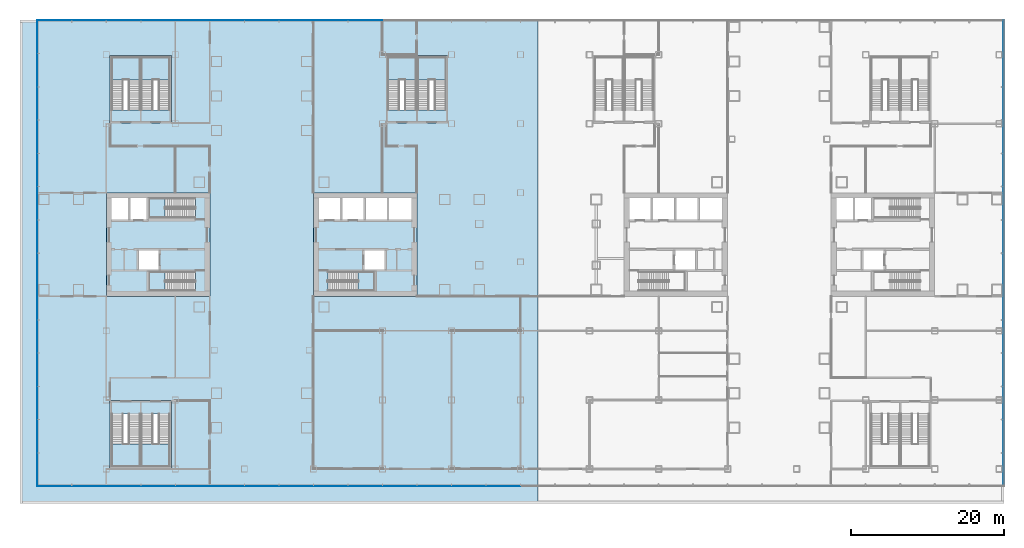
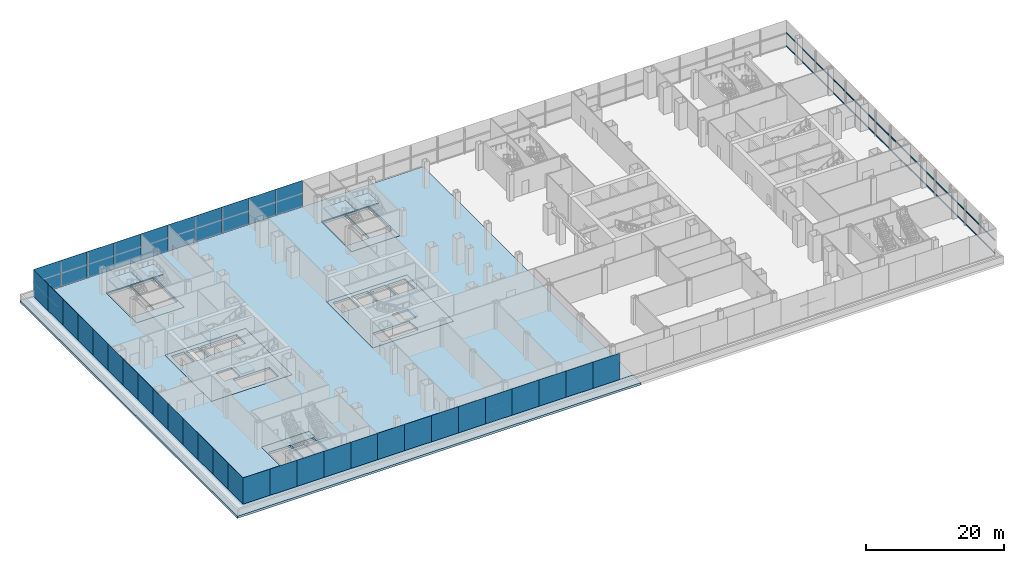
# One storey, part 14 of 30: 38 plates, 16 slabs, 2 members, 13 elements without a shape of their own.
"""IFC4 building model written with IfcOpenShell, lengths in metres."""

from ifc_helpers import new_model, si_unit, direction, frame, origin, origin_2d, place, context, subcontext, project, spatial, polyline, rectangle, outline, extrude, material, layer, layer_set, material_profile, profile_set, type_object, element, aggregate, save


model = new_model("IFC4")

# Units and contexts
model_context = context("Model", 3, precision=1e-05, world=origin(), true_north=direction((0.0, 1.0)))
body_context = subcontext(model_context, "Body", "Model", "MODEL_VIEW")
ifc_project = project(units=[si_unit("LENGTHUNIT", "METRE"), si_unit("AREAUNIT", "SQUARE_METRE"), si_unit("VOLUMEUNIT", "CUBIC_METRE"), si_unit("PLANEANGLEUNIT", "RADIAN"), si_unit("MASSUNIT", "GRAM", prefix="KILO")], contexts=[model_context])

# Site, building, storey
site_placement = place(None, origin())
site = spatial("IfcSite", under=ifc_project, at=site_placement, CompositionType="ELEMENT")
building_placement = place(site_placement, origin())
building = spatial("IfcBuilding", under=site, at=building_placement, Name="Shamsa Quay Exchange Towers", CompositionType="ELEMENT")
storey_placement = place(building_placement, frame((0.0, 0.0, 23.5)))
storey = spatial("IfcBuildingStorey", under=building, at=storey_placement, Name="L04", CompositionType="ELEMENT", Elevation=23.5)

# Curtain wall, members
ifc_material_1 = material(Name="Aluminium EN AW-6063 T6, black anodised", Category="aluminium")
ifc_layer_1 = layer(ifc_material_1, 0.33203125)
ifc_layer_set_1 = layer_set([ifc_layer_1], Name="CW-3 PODIUM SHOPFRONT GLAZING")
curtain_wall_type = type_object("IfcCurtainWallType", Name="CW-3 PODIUM SHOPFRONT GLAZING", PredefinedType="NOTDEFINED", material=ifc_layer_set_1)
curtain_wall_1_placement = place(storey_placement, origin())
curtain_wall_1 = element("IfcCurtainWall", 1, at=curtain_wall_1_placement, inside=storey, type_object=curtain_wall_type, Name="CW3 PODIUM-L04-F00", PredefinedType="NOTDEFINED")
ifc_material_profile = material_profile(ifc_material_1, rectangle(XDim=0.080078125, YDim=0.159912109375, at=origin_2d()), Name="TR160x80")
ifc_profile_set = profile_set([ifc_material_profile], Name="Aluminium EN AW-6063 T6, black anodised")
member_type = type_object("IfcMemberType", Name="CW3 TRANSOM 160x80", PredefinedType="USERDEFINED", material=ifc_profile_set)
member_1_placement = place(storey_placement, frame((62.9599609375, -31.197998046875, 0.080078125), z_axis=(0.0, 1.0, 0.0), x_axis=(-1.0, 0.0, 0.0)))
member_1 = element("IfcMember", 2, at=member_1_placement, type_object=member_type, Name="CW3 transom", ObjectType="TRANSOM", PredefinedType="USERDEFINED", context=body_context, shape_type="SweptSolid", body=[
    extrude(rectangle(XDim=0.080078125, YDim=0.159912109375, at=origin_2d()), origin(), (0.0, 0.0, 1.0), 60.447998046875),
])
member_2_placement = place(storey_placement, frame((62.9599609375, -31.197998046875, 2.405029296875), z_axis=(0.0, 1.0, 0.0), x_axis=(-1.0, 0.0, 0.0)))
member_2 = element("IfcMember", 3, at=member_2_placement, type_object=member_type, Name="CW3 transom", ObjectType="TRANSOM", PredefinedType="USERDEFINED", context=body_context, shape_type="SweptSolid", body=[
    extrude(rectangle(XDim=0.080078125, YDim=0.159912109375, at=origin_2d()), origin(), (0.0, 0.0, 1.0), 60.447998046875),
])
aggregate(curtain_wall_1, [member_1, member_2])

# Slabs
ifc_material_2 = material(Name="Concrete C50/60", Category="concrete")
ifc_layer_2 = layer(ifc_material_2, 0.39990234375)
ifc_layer_set_2 = layer_set([ifc_layer_2], Name="CORE FLOOR 400 C50/60")
slab_type_1 = type_object("IfcSlabType", Name="CORE FLOOR 400 C50/60", PredefinedType="FLOOR", material=ifc_layer_set_2)
slab_1_placement = place(storey_placement, frame((0.0, 0.0, -0.39990234375)))
element("IfcSlab", 4, at=slab_1_placement, inside=storey, type_object=slab_type_1, Name="Core floor T1A", PredefinedType="FLOOR", context=body_context, shape_type="SweptSolid", body=[
    extrude(outline(polyline([(-27.0, -6.75), (-13.5, -6.75), (-13.5, 6.75), (-27.0, 6.75), (-27.0, -6.75)]), holes=[polyline([(-25.099365234375, -6.050048828125), (-25.099365234375, -3.5), (-19.0, -3.5), (-19.0, -6.050048828125), (-25.099365234375, -6.050048828125)]), polyline([(-26.300048828125, 3.25), (-26.300048828125, 6.050048828125), (-23.5, 6.050048828125), (-23.5, 3.25), (-26.300048828125, 3.25)]), polyline([(-23.25, 3.25), (-23.25, 6.050048828125), (-20.449951171875, 6.050048828125), (-20.449951171875, 3.25), (-23.25, 3.25)]), polyline([(-20.199951171875, 3.25), (-20.199951171875, 6.050048828125), (-17.39990234375, 6.050048828125), (-17.39990234375, 3.25), (-20.199951171875, 3.25)]), polyline([(-17.14990234375, 3.25), (-17.14990234375, 6.050048828125), (-14.199951171875, 6.050048828125), (-14.199951171875, 3.25), (-17.14990234375, 3.25)]), polyline([(-20.35009765625, -3.25), (-20.35009765625, -0.75), (-17.699951171875, -0.75), (-17.699951171875, -3.25), (-20.35009765625, -3.25)])]), origin(), (0.0, 0.0, 1.0), 0.39990234375),
])
slab_2_placement = place(storey_placement, frame((0.0, 0.0, -0.39990234375)))
element("IfcSlab", 5, at=slab_2_placement, inside=storey, type_object=slab_type_1, Name="Core floor T1B", PredefinedType="FLOOR", context=body_context, shape_type="SweptSolid", body=[
    extrude(outline(polyline([(-40.5, -6.75), (-40.5, 6.75), (-54.0, 6.75), (-54.0, -6.75), (-40.5, -6.75)]), holes=[polyline([(-42.400634765625, -3.5), (-42.400634765625, -6.050048828125), (-48.5, -6.050048828125), (-48.5, -3.5), (-42.400634765625, -3.5)]), polyline([(-42.400634765625, 6.050048828125), (-42.400634765625, 3.5), (-48.5, 3.5), (-48.5, 6.050048828125), (-42.400634765625, 6.050048828125)]), polyline([(-48.75, 3.25), (-50.89990234375, 3.25), (-50.89990234375, 6.050048828125), (-48.75, 6.050048828125), (-48.75, 3.25)]), polyline([(-51.14990234375, 3.25), (-53.300048828125, 3.25), (-53.300048828125, 6.050048828125), (-51.14990234375, 6.050048828125), (-51.14990234375, 3.25)]), polyline([(-47.14990234375, -3.25), (-49.800048828125, -3.25), (-49.800048828125, -0.75), (-47.14990234375, -0.75), (-47.14990234375, -3.25)])]), origin(), (0.0, 0.0, 1.0), 0.39990234375),
])
slab_3_placement = place(storey_placement, frame((0.0, 0.0, -0.39990234375)))
element("IfcSlab", 6, at=slab_3_placement, inside=storey, type_object=slab_type_1, Name="Stair floor PS1", PredefinedType="FLOOR", context=body_context, shape_type="SweptSolid", body=[
    extrude(outline(polyline([(-53.5, 15.85009765625), (-45.5, 15.85009765625), (-45.5, 24.64990234375), (-53.5, 24.64990234375), (-53.5, 15.85009765625)]), holes=[polyline([(-49.574951171875, 17.55078125), (-53.300048828125, 17.55078125), (-53.300048828125, 24.449951171875), (-49.574951171875, 24.449951171875), (-49.574951171875, 17.55078125)]), polyline([(-45.699951171875, 17.55078125), (-49.425048828125, 17.55078125), (-49.425048828125, 24.449951171875), (-45.699951171875, 24.449951171875), (-45.699951171875, 17.55078125)])]), origin(), (0.0, 0.0, 1.0), 0.39990234375),
])
slab_4_placement = place(storey_placement, frame((0.0, 0.0, -0.39990234375)))
element("IfcSlab", 7, at=slab_4_placement, inside=storey, type_object=slab_type_1, Name="Stair floor PS2", PredefinedType="FLOOR", context=body_context, shape_type="SweptSolid", body=[
    extrude(outline(polyline([(-17.5, 15.85009765625), (-9.5, 15.85009765625), (-9.5, 24.64990234375), (-17.5, 24.64990234375), (-17.5, 15.85009765625)]), holes=[polyline([(-13.574951171875, 17.55078125), (-17.300048828125, 17.55078125), (-17.300048828125, 24.449951171875), (-13.574951171875, 24.449951171875), (-13.574951171875, 17.55078125)]), polyline([(-9.699951171875, 17.55078125), (-13.425048828125, 17.55078125), (-13.425048828125, 24.449951171875), (-9.699951171875, 24.449951171875), (-9.699951171875, 17.55078125)])]), origin(), (0.0, 0.0, 1.0), 0.39990234375),
])
slab_5_placement = place(storey_placement, frame((0.0, 0.0, -0.39990234375)))
element("IfcSlab", 8, at=slab_5_placement, inside=storey, type_object=slab_type_1, Name="Stair floor PS5", PredefinedType="FLOOR", context=body_context, shape_type="SweptSolid", body=[
    extrude(outline(polyline([(-53.5, -29.14990234375), (-45.5, -29.14990234375), (-45.5, -20.35009765625), (-53.5, -20.35009765625), (-53.5, -29.14990234375)]), holes=[polyline([(-53.300048828125, -22.05078125), (-49.574951171875, -22.05078125), (-49.574951171875, -28.949951171875), (-53.300048828125, -28.949951171875), (-53.300048828125, -22.05078125)]), polyline([(-49.425048828125, -22.05078125), (-45.699951171875, -22.05078125), (-45.699951171875, -28.949951171875), (-49.425048828125, -28.949951171875), (-49.425048828125, -22.05078125)])]), origin(), (0.0, 0.0, 1.0), 0.39990234375),
])

# Stair, slab
ifc_material_3 = material(Name="Concrete C40/50", Category="concrete")
stair_type_1 = type_object("IfcStairType", Name="EXIT STAIR 30 RISERS 167 MM", PredefinedType="HALF_TURN_STAIR", material=ifc_material_3)
stair_1_placement = place(storey_placement, origin())
stair_1 = element("IfcStair", 9, at=stair_1_placement, inside=storey, type_object=stair_type_1, Name="L04 Exit stair ST1", PredefinedType="HALF_TURN_STAIR")
ifc_layer_3 = layer(ifc_material_3, 0.199951171875)
ifc_layer_set_3 = layer_set([ifc_layer_3], Name="CORE STAIR LANDING")
slab_type_2 = type_object("IfcSlabType", Name="CORE STAIR LANDING", PredefinedType="LANDING", material=ifc_layer_set_3)
slab_6_placement = place(storey_placement, frame((0.0, 0.0, 2.300048828125)))
slab_6 = element("IfcSlab", 10, at=slab_6_placement, type_object=slab_type_2, Name="ST1 landing 1", PredefinedType="LANDING", context=body_context, shape_type="SweptSolid", body=[
    extrude(outline(polyline([(-21.179931640625, -6.050048828125), (-19.0, -6.050048828125), (-19.0, -3.5), (-21.179931640625, -3.5), (-21.179931640625, -6.050048828125)])), origin(), (0.0, 0.0, 1.0), 0.199951171875),
])
aggregate(stair_1, [slab_6])

stair_2_placement = place(storey_placement, origin())
stair_2 = element("IfcStair", 11, at=stair_2_placement, inside=storey, type_object=stair_type_1, Name="L04 Exit stair ST2", PredefinedType="HALF_TURN_STAIR")
slab_7_placement = place(storey_placement, frame((0.0, 0.0, 2.300048828125)))
slab_7 = element("IfcSlab", 12, at=slab_7_placement, type_object=slab_type_2, Name="ST2 landing 1", PredefinedType="LANDING", context=body_context, shape_type="SweptSolid", body=[
    extrude(outline(polyline([(-46.320068359375, -3.5), (-48.5, -3.5), (-48.5, -6.050048828125), (-46.320068359375, -6.050048828125), (-46.320068359375, -3.5)])), origin(), (0.0, 0.0, 1.0), 0.199951171875),
])
aggregate(stair_2, [slab_7])

stair_3_placement = place(storey_placement, origin())
stair_3 = element("IfcStair", 13, at=stair_3_placement, inside=storey, type_object=stair_type_1, Name="L04 Exit stair ST3", PredefinedType="HALF_TURN_STAIR")
slab_8_placement = place(storey_placement, frame((0.0, 0.0, 2.300048828125)))
slab_8 = element("IfcSlab", 14, at=slab_8_placement, type_object=slab_type_2, Name="ST3 landing 1", PredefinedType="LANDING", context=body_context, shape_type="SweptSolid", body=[
    extrude(outline(polyline([(-46.320068359375, 6.050048828125), (-48.5, 6.050048828125), (-48.5, 3.5), (-46.320068359375, 3.5), (-46.320068359375, 6.050048828125)])), origin(), (0.0, 0.0, 1.0), 0.199951171875),
])
aggregate(stair_3, [slab_8])

stair_type_2 = type_object("IfcStairType", Name="PODIUM EXIT STAIR 30 RISERS 167 MM 1500 WIDE", PredefinedType="HALF_TURN_STAIR", material=ifc_material_3)
stair_4_placement = place(storey_placement, origin())
stair_4 = element("IfcStair", 15, at=stair_4_placement, inside=storey, type_object=stair_type_2, Name="L04 Exit stair PS1A", PredefinedType="HALF_TURN_STAIR")
slab_9_placement = place(storey_placement, frame((0.0, 0.0, 2.300048828125)))
slab_9 = element("IfcSlab", 16, at=slab_9_placement, type_object=slab_type_2, Name="PS1A landing 1", PredefinedType="LANDING", context=body_context, shape_type="SweptSolid", body=[
    extrude(outline(polyline([(-49.574951171875, 21.469970703125), (-49.574951171875, 24.449951171875), (-53.300048828125, 24.449951171875), (-53.300048828125, 21.469970703125), (-49.574951171875, 21.469970703125)])), origin(), (0.0, 0.0, 1.0), 0.199951171875),
])
aggregate(stair_4, [slab_9])

stair_5_placement = place(storey_placement, origin())
stair_5 = element("IfcStair", 17, at=stair_5_placement, inside=storey, type_object=stair_type_2, Name="L04 Exit stair PS1B", PredefinedType="HALF_TURN_STAIR")
slab_10_placement = place(storey_placement, frame((0.0, 0.0, 2.300048828125)))
slab_10 = element("IfcSlab", 18, at=slab_10_placement, type_object=slab_type_2, Name="PS1B landing 1", PredefinedType="LANDING", context=body_context, shape_type="SweptSolid", body=[
    extrude(outline(polyline([(-45.699951171875, 21.469970703125), (-45.699951171875, 24.449951171875), (-49.425048828125, 24.449951171875), (-49.425048828125, 21.469970703125), (-45.699951171875, 21.469970703125)])), origin(), (0.0, 0.0, 1.0), 0.199951171875),
])
aggregate(stair_5, [slab_10])

stair_6_placement = place(storey_placement, origin())
stair_6 = element("IfcStair", 19, at=stair_6_placement, inside=storey, type_object=stair_type_2, Name="L04 Exit stair PS2A", PredefinedType="HALF_TURN_STAIR")
slab_11_placement = place(storey_placement, frame((0.0, 0.0, 2.300048828125)))
slab_11 = element("IfcSlab", 20, at=slab_11_placement, type_object=slab_type_2, Name="PS2A landing 1", PredefinedType="LANDING", context=body_context, shape_type="SweptSolid", body=[
    extrude(outline(polyline([(-13.574951171875, 21.469970703125), (-13.574951171875, 24.449951171875), (-17.300048828125, 24.449951171875), (-17.300048828125, 21.469970703125), (-13.574951171875, 21.469970703125)])), origin(), (0.0, 0.0, 1.0), 0.199951171875),
])
aggregate(stair_6, [slab_11])

stair_7_placement = place(storey_placement, origin())
stair_7 = element("IfcStair", 21, at=stair_7_placement, inside=storey, type_object=stair_type_2, Name="L04 Exit stair PS2B", PredefinedType="HALF_TURN_STAIR")
slab_12_placement = place(storey_placement, frame((0.0, 0.0, 2.300048828125)))
slab_12 = element("IfcSlab", 22, at=slab_12_placement, type_object=slab_type_2, Name="PS2B landing 1", PredefinedType="LANDING", context=body_context, shape_type="SweptSolid", body=[
    extrude(outline(polyline([(-9.699951171875, 21.469970703125), (-9.699951171875, 24.449951171875), (-13.425048828125, 24.449951171875), (-13.425048828125, 21.469970703125), (-9.699951171875, 21.469970703125)])), origin(), (0.0, 0.0, 1.0), 0.199951171875),
])
aggregate(stair_7, [slab_12])

stair_8_placement = place(storey_placement, origin())
stair_8 = element("IfcStair", 23, at=stair_8_placement, inside=storey, type_object=stair_type_2, Name="L04 Exit stair PS5A", PredefinedType="HALF_TURN_STAIR")
slab_13_placement = place(storey_placement, frame((0.0, 0.0, 2.300048828125)))
slab_13 = element("IfcSlab", 24, at=slab_13_placement, type_object=slab_type_2, Name="PS5A landing 1", PredefinedType="LANDING", context=body_context, shape_type="SweptSolid", body=[
    extrude(outline(polyline([(-53.300048828125, -25.969970703125), (-53.300048828125, -28.949951171875), (-49.574951171875, -28.949951171875), (-49.574951171875, -25.969970703125), (-53.300048828125, -25.969970703125)])), origin(), (0.0, 0.0, 1.0), 0.199951171875),
])
aggregate(stair_8, [slab_13])

stair_9_placement = place(storey_placement, origin())
stair_9 = element("IfcStair", 25, at=stair_9_placement, inside=storey, type_object=stair_type_2, Name="L04 Exit stair PS5B", PredefinedType="HALF_TURN_STAIR")
slab_14_placement = place(storey_placement, frame((0.0, 0.0, 2.300048828125)))
slab_14 = element("IfcSlab", 26, at=slab_14_placement, type_object=slab_type_2, Name="PS5B landing 1", PredefinedType="LANDING", context=body_context, shape_type="SweptSolid", body=[
    extrude(outline(polyline([(-49.425048828125, -25.969970703125), (-49.425048828125, -28.949951171875), (-45.699951171875, -28.949951171875), (-45.699951171875, -25.969970703125), (-49.425048828125, -25.969970703125)])), origin(), (0.0, 0.0, 1.0), 0.199951171875),
])
aggregate(stair_9, [slab_14])

# Curtain wall, plates
curtain_wall_2_placement = place(storey_placement, origin())
curtain_wall_2 = element("IfcCurtainWall", 27, at=curtain_wall_2_placement, inside=storey, type_object=curtain_wall_type, Name="CW3 PODIUM-L04-F01", PredefinedType="NOTDEFINED")
ifc_material_4 = material(Name="Glass, laminated, impact rated, clear low iron", Category="glass")
ifc_layer_4 = layer(ifc_material_4, 0.031982421875)
ifc_layer_set_4 = layer_set([ifc_layer_4], Name="CW-3 SHOPFRONT GLASS 32")
plate_type = type_object("IfcPlateType", Name="CW-3 SHOPFRONT GLASS 32", PredefinedType="CURTAIN_PANEL", material=ifc_layer_set_4)
plate_1_placement = place(storey_placement, frame((-20.25, 29.26611328125, -0.35009765625), z_axis=(0.0, 0.0, 1.0), x_axis=(-1.0, 0.0, 0.0)))
plate_1 = element("IfcPlate", 28, at=plate_1_placement, type_object=plate_type, Name="CW3 glass panel", PredefinedType="CURTAIN_PANEL", context=body_context, shape_type="SweptSolid", body=[
    extrude(rectangle(XDim=4.489990234375, YDim=0.031982421875, at=origin_2d()), origin(), (0.0, 0.0, 1.0), 5.0),
])
plate_2_placement = place(storey_placement, frame((-24.75, 29.26611328125, -0.35009765625), z_axis=(0.0, 0.0, 1.0), x_axis=(-1.0, 0.0, 0.0)))
plate_2 = element("IfcPlate", 29, at=plate_2_placement, type_object=plate_type, Name="CW3 glass panel", PredefinedType="CURTAIN_PANEL", context=body_context, shape_type="SweptSolid", body=[
    extrude(rectangle(XDim=4.489990234375, YDim=0.031982421875, at=origin_2d()), origin(), (0.0, 0.0, 1.0), 5.0),
])
plate_3_placement = place(storey_placement, frame((-29.25, 29.26611328125, -0.35009765625), z_axis=(0.0, 0.0, 1.0), x_axis=(-1.0, 0.0, 0.0)))
plate_3 = element("IfcPlate", 30, at=plate_3_placement, type_object=plate_type, Name="CW3 glass panel", PredefinedType="CURTAIN_PANEL", context=body_context, shape_type="SweptSolid", body=[
    extrude(rectangle(XDim=4.489990234375, YDim=0.031982421875, at=origin_2d()), origin(), (0.0, 0.0, 1.0), 5.0),
])
plate_4_placement = place(storey_placement, frame((-33.75, 29.26611328125, -0.35009765625), z_axis=(0.0, 0.0, 1.0), x_axis=(-1.0, 0.0, 0.0)))
plate_4 = element("IfcPlate", 31, at=plate_4_placement, type_object=plate_type, Name="CW3 glass panel", PredefinedType="CURTAIN_PANEL", context=body_context, shape_type="SweptSolid", body=[
    extrude(rectangle(XDim=4.489990234375, YDim=0.031982421875, at=origin_2d()), origin(), (0.0, 0.0, 1.0), 5.0),
])
plate_5_placement = place(storey_placement, frame((-38.25, 29.26611328125, -0.35009765625), z_axis=(0.0, 0.0, 1.0), x_axis=(-1.0, 0.0, 0.0)))
plate_5 = element("IfcPlate", 32, at=plate_5_placement, type_object=plate_type, Name="CW3 glass panel", PredefinedType="CURTAIN_PANEL", context=body_context, shape_type="SweptSolid", body=[
    extrude(rectangle(XDim=4.489990234375, YDim=0.031982421875, at=origin_2d()), origin(), (0.0, 0.0, 1.0), 5.0),
])
plate_6_placement = place(storey_placement, frame((-42.75, 29.26611328125, -0.35009765625), z_axis=(0.0, 0.0, 1.0), x_axis=(-1.0, 0.0, 0.0)))
plate_6 = element("IfcPlate", 33, at=plate_6_placement, type_object=plate_type, Name="CW3 glass panel", PredefinedType="CURTAIN_PANEL", context=body_context, shape_type="SweptSolid", body=[
    extrude(rectangle(XDim=4.489990234375, YDim=0.031982421875, at=origin_2d()), origin(), (0.0, 0.0, 1.0), 5.0),
])
plate_7_placement = place(storey_placement, frame((-47.25, 29.26611328125, -0.35009765625), z_axis=(0.0, 0.0, 1.0), x_axis=(-1.0, 0.0, 0.0)))
plate_7 = element("IfcPlate", 34, at=plate_7_placement, type_object=plate_type, Name="CW3 glass panel", PredefinedType="CURTAIN_PANEL", context=body_context, shape_type="SweptSolid", body=[
    extrude(rectangle(XDim=4.489990234375, YDim=0.031982421875, at=origin_2d()), origin(), (0.0, 0.0, 1.0), 5.0),
])
plate_8_placement = place(storey_placement, frame((-51.75, 29.26611328125, -0.35009765625), z_axis=(0.0, 0.0, 1.0), x_axis=(-1.0, 0.0, 0.0)))
plate_8 = element("IfcPlate", 35, at=plate_8_placement, type_object=plate_type, Name="CW3 glass panel", PredefinedType="CURTAIN_PANEL", context=body_context, shape_type="SweptSolid", body=[
    extrude(rectangle(XDim=4.489990234375, YDim=0.031982421875, at=origin_2d()), origin(), (0.0, 0.0, 1.0), 5.0),
])
plate_9_placement = place(storey_placement, frame((-56.25, 29.26611328125, -0.35009765625), z_axis=(0.0, 0.0, 1.0), x_axis=(-1.0, 0.0, 0.0)))
plate_9 = element("IfcPlate", 36, at=plate_9_placement, type_object=plate_type, Name="CW3 glass panel", PredefinedType="CURTAIN_PANEL", context=body_context, shape_type="SweptSolid", body=[
    extrude(rectangle(XDim=4.489990234375, YDim=0.031982421875, at=origin_2d()), origin(), (0.0, 0.0, 1.0), 5.0),
])
plate_10_placement = place(storey_placement, frame((-60.75244140625, 29.26611328125, -0.35009765625), z_axis=(0.0, 0.0, 1.0), x_axis=(-1.0, 0.0, 0.0)))
plate_10 = element("IfcPlate", 37, at=plate_10_placement, type_object=plate_type, Name="CW3 glass panel", PredefinedType="CURTAIN_PANEL", context=body_context, shape_type="SweptSolid", body=[
    extrude(rectangle(XDim=4.4951171875, YDim=0.031982421875, at=origin_2d()), origin(), (0.0, 0.0, 1.0), 5.0),
])
aggregate(curtain_wall_2, [plate_1, plate_2, plate_3, plate_4, plate_5, plate_6, plate_7, plate_8, plate_9, plate_10])

curtain_wall_3_placement = place(storey_placement, origin())
curtain_wall_3 = element("IfcCurtainWall", 38, at=curtain_wall_3_placement, inside=storey, type_object=curtain_wall_type, Name="CW3 PODIUM-L04-F02", PredefinedType="NOTDEFINED")
plate_11_placement = place(storey_placement, frame((-63.01611328125, 27.082763671875, -0.35009765625), z_axis=(0.0, 0.0, 1.0), x_axis=(0.0, -1.0, 0.0)))
plate_11 = element("IfcPlate", 39, at=plate_11_placement, type_object=plate_type, Name="CW3 glass panel", PredefinedType="CURTAIN_PANEL", context=body_context, shape_type="SweptSolid", body=[
    extrude(rectangle(XDim=4.334228515625, YDim=0.031982421875, at=origin_2d()), origin(), (0.0, 0.0, 1.0), 5.0),
])
plate_12_placement = place(storey_placement, frame((-63.01611328125, 22.740966796875, -0.35009765625), z_axis=(0.0, 0.0, 1.0), x_axis=(0.0, -1.0, 0.0)))
plate_12 = element("IfcPlate", 40, at=plate_12_placement, type_object=plate_type, Name="CW3 glass panel", PredefinedType="CURTAIN_PANEL", context=body_context, shape_type="SweptSolid", body=[
    extrude(rectangle(XDim=4.329345703125, YDim=0.031982421875, at=origin_2d()), origin(), (0.0, 0.0, 1.0), 5.0),
])
plate_13_placement = place(storey_placement, frame((-63.01611328125, 18.40185546875, -0.35009765625), z_axis=(0.0, 0.0, 1.0), x_axis=(0.0, -1.0, 0.0)))
plate_13 = element("IfcPlate", 41, at=plate_13_placement, type_object=plate_type, Name="CW3 glass panel", PredefinedType="CURTAIN_PANEL", context=body_context, shape_type="SweptSolid", body=[
    extrude(rectangle(XDim=4.329345703125, YDim=0.031982421875, at=origin_2d()), origin(), (0.0, 0.0, 1.0), 5.0),
])
plate_14_placement = place(storey_placement, frame((-63.01611328125, 14.0625, -0.35009765625), z_axis=(0.0, 0.0, 1.0), x_axis=(0.0, -1.0, 0.0)))
plate_14 = element("IfcPlate", 42, at=plate_14_placement, type_object=plate_type, Name="CW3 glass panel", PredefinedType="CURTAIN_PANEL", context=body_context, shape_type="SweptSolid", body=[
    extrude(rectangle(XDim=4.329345703125, YDim=0.031982421875, at=origin_2d()), origin(), (0.0, 0.0, 1.0), 5.0),
])
plate_15_placement = place(storey_placement, frame((-63.01611328125, 9.72314453125, -0.35009765625), z_axis=(0.0, 0.0, 1.0), x_axis=(0.0, -1.0, 0.0)))
plate_15 = element("IfcPlate", 43, at=plate_15_placement, type_object=plate_type, Name="CW3 glass panel", PredefinedType="CURTAIN_PANEL", context=body_context, shape_type="SweptSolid", body=[
    extrude(rectangle(XDim=4.329345703125, YDim=0.031982421875, at=origin_2d()), origin(), (0.0, 0.0, 1.0), 5.0),
])
plate_16_placement = place(storey_placement, frame((-63.01611328125, 5.384033203125, -0.35009765625), z_axis=(0.0, 0.0, 1.0), x_axis=(0.0, -1.0, 0.0)))
plate_16 = element("IfcPlate", 44, at=plate_16_placement, type_object=plate_type, Name="CW3 glass panel", PredefinedType="CURTAIN_PANEL", context=body_context, shape_type="SweptSolid", body=[
    extrude(rectangle(XDim=4.329345703125, YDim=0.031982421875, at=origin_2d()), origin(), (0.0, 0.0, 1.0), 5.0),
])
plate_17_placement = place(storey_placement, frame((-63.01611328125, 1.044677734375, -0.35009765625), z_axis=(0.0, 0.0, 1.0), x_axis=(0.0, -1.0, 0.0)))
plate_17 = element("IfcPlate", 45, at=plate_17_placement, type_object=plate_type, Name="CW3 glass panel", PredefinedType="CURTAIN_PANEL", context=body_context, shape_type="SweptSolid", body=[
    extrude(rectangle(XDim=4.329345703125, YDim=0.031982421875, at=origin_2d()), origin(), (0.0, 0.0, 1.0), 5.0),
])
plate_18_placement = place(storey_placement, frame((-63.01611328125, -3.294677734375, -0.35009765625), z_axis=(0.0, 0.0, 1.0), x_axis=(0.0, -1.0, 0.0)))
plate_18 = element("IfcPlate", 46, at=plate_18_placement, type_object=plate_type, Name="CW3 glass panel", PredefinedType="CURTAIN_PANEL", context=body_context, shape_type="SweptSolid", body=[
    extrude(rectangle(XDim=4.329345703125, YDim=0.031982421875, at=origin_2d()), origin(), (0.0, 0.0, 1.0), 5.0),
])
plate_19_placement = place(storey_placement, frame((-63.01611328125, -7.634033203125, -0.35009765625), z_axis=(0.0, 0.0, 1.0), x_axis=(0.0, -1.0, 0.0)))
plate_19 = element("IfcPlate", 47, at=plate_19_placement, type_object=plate_type, Name="CW3 glass panel", PredefinedType="CURTAIN_PANEL", context=body_context, shape_type="SweptSolid", body=[
    extrude(rectangle(XDim=4.329345703125, YDim=0.031982421875, at=origin_2d()), origin(), (0.0, 0.0, 1.0), 5.0),
])
plate_20_placement = place(storey_placement, frame((-63.01611328125, -11.97314453125, -0.35009765625), z_axis=(0.0, 0.0, 1.0), x_axis=(0.0, -1.0, 0.0)))
plate_20 = element("IfcPlate", 48, at=plate_20_placement, type_object=plate_type, Name="CW3 glass panel", PredefinedType="CURTAIN_PANEL", context=body_context, shape_type="SweptSolid", body=[
    extrude(rectangle(XDim=4.329345703125, YDim=0.031982421875, at=origin_2d()), origin(), (0.0, 0.0, 1.0), 5.0),
])
plate_21_placement = place(storey_placement, frame((-63.01611328125, -16.3125, -0.35009765625), z_axis=(0.0, 0.0, 1.0), x_axis=(0.0, -1.0, 0.0)))
plate_21 = element("IfcPlate", 49, at=plate_21_placement, type_object=plate_type, Name="CW3 glass panel", PredefinedType="CURTAIN_PANEL", context=body_context, shape_type="SweptSolid", body=[
    extrude(rectangle(XDim=4.329345703125, YDim=0.031982421875, at=origin_2d()), origin(), (0.0, 0.0, 1.0), 5.0),
])
plate_22_placement = place(storey_placement, frame((-63.01611328125, -20.65185546875, -0.35009765625), z_axis=(0.0, 0.0, 1.0), x_axis=(0.0, -1.0, 0.0)))
plate_22 = element("IfcPlate", 50, at=plate_22_placement, type_object=plate_type, Name="CW3 glass panel", PredefinedType="CURTAIN_PANEL", context=body_context, shape_type="SweptSolid", body=[
    extrude(rectangle(XDim=4.329345703125, YDim=0.031982421875, at=origin_2d()), origin(), (0.0, 0.0, 1.0), 5.0),
])
plate_23_placement = place(storey_placement, frame((-63.01611328125, -24.990966796875, -0.35009765625), z_axis=(0.0, 0.0, 1.0), x_axis=(0.0, -1.0, 0.0)))
plate_23 = element("IfcPlate", 51, at=plate_23_placement, type_object=plate_type, Name="CW3 glass panel", PredefinedType="CURTAIN_PANEL", context=body_context, shape_type="SweptSolid", body=[
    extrude(rectangle(XDim=4.329345703125, YDim=0.031982421875, at=origin_2d()), origin(), (0.0, 0.0, 1.0), 5.0),
])
plate_24_placement = place(storey_placement, frame((-63.01611328125, -29.332763671875, -0.35009765625), z_axis=(0.0, 0.0, 1.0), x_axis=(0.0, -1.0, 0.0)))
plate_24 = element("IfcPlate", 52, at=plate_24_placement, type_object=plate_type, Name="CW3 glass panel", PredefinedType="CURTAIN_PANEL", context=body_context, shape_type="SweptSolid", body=[
    extrude(rectangle(XDim=4.334228515625, YDim=0.031982421875, at=origin_2d()), origin(), (0.0, 0.0, 1.0), 5.0),
])
aggregate(curtain_wall_3, [plate_11, plate_12, plate_13, plate_14, plate_15, plate_16, plate_17, plate_18, plate_19, plate_20, plate_21, plate_22, plate_23, plate_24])

curtain_wall_4_placement = place(storey_placement, origin())
curtain_wall_4 = element("IfcCurtainWall", 53, at=curtain_wall_4_placement, inside=storey, type_object=curtain_wall_type, Name="CW3 PODIUM-L04-F03", PredefinedType="NOTDEFINED")
plate_25_placement = place(storey_placement, frame((-60.75244140625, -31.51611328125, -0.35009765625)))
plate_25 = element("IfcPlate", 54, at=plate_25_placement, type_object=plate_type, Name="CW3 glass panel", PredefinedType="CURTAIN_PANEL", context=body_context, shape_type="SweptSolid", body=[
    extrude(rectangle(XDim=4.4951171875, YDim=0.031982421875, at=origin_2d()), origin(), (0.0, 0.0, 1.0), 5.0),
])
plate_26_placement = place(storey_placement, frame((-56.25, -31.51611328125, -0.35009765625)))
plate_26 = element("IfcPlate", 55, at=plate_26_placement, type_object=plate_type, Name="CW3 glass panel", PredefinedType="CURTAIN_PANEL", context=body_context, shape_type="SweptSolid", body=[
    extrude(rectangle(XDim=4.489990234375, YDim=0.031982421875, at=origin_2d()), origin(), (0.0, 0.0, 1.0), 5.0),
])
plate_27_placement = place(storey_placement, frame((-51.75, -31.51611328125, -0.35009765625)))
plate_27 = element("IfcPlate", 56, at=plate_27_placement, type_object=plate_type, Name="CW3 glass panel", PredefinedType="CURTAIN_PANEL", context=body_context, shape_type="SweptSolid", body=[
    extrude(rectangle(XDim=4.489990234375, YDim=0.031982421875, at=origin_2d()), origin(), (0.0, 0.0, 1.0), 5.0),
])
plate_28_placement = place(storey_placement, frame((-47.25, -31.51611328125, -0.35009765625)))
plate_28 = element("IfcPlate", 57, at=plate_28_placement, type_object=plate_type, Name="CW3 glass panel", PredefinedType="CURTAIN_PANEL", context=body_context, shape_type="SweptSolid", body=[
    extrude(rectangle(XDim=4.489990234375, YDim=0.031982421875, at=origin_2d()), origin(), (0.0, 0.0, 1.0), 5.0),
])
plate_29_placement = place(storey_placement, frame((-42.75, -31.51611328125, -0.35009765625)))
plate_29 = element("IfcPlate", 58, at=plate_29_placement, type_object=plate_type, Name="CW3 glass panel", PredefinedType="CURTAIN_PANEL", context=body_context, shape_type="SweptSolid", body=[
    extrude(rectangle(XDim=4.489990234375, YDim=0.031982421875, at=origin_2d()), origin(), (0.0, 0.0, 1.0), 5.0),
])
plate_30_placement = place(storey_placement, frame((-38.25, -31.51611328125, -0.35009765625)))
plate_30 = element("IfcPlate", 59, at=plate_30_placement, type_object=plate_type, Name="CW3 glass panel", PredefinedType="CURTAIN_PANEL", context=body_context, shape_type="SweptSolid", body=[
    extrude(rectangle(XDim=4.489990234375, YDim=0.031982421875, at=origin_2d()), origin(), (0.0, 0.0, 1.0), 5.0),
])
plate_31_placement = place(storey_placement, frame((-33.75, -31.51611328125, -0.35009765625)))
plate_31 = element("IfcPlate", 60, at=plate_31_placement, type_object=plate_type, Name="CW3 glass panel", PredefinedType="CURTAIN_PANEL", context=body_context, shape_type="SweptSolid", body=[
    extrude(rectangle(XDim=4.489990234375, YDim=0.031982421875, at=origin_2d()), origin(), (0.0, 0.0, 1.0), 5.0),
])
plate_32_placement = place(storey_placement, frame((-29.25, -31.51611328125, -0.35009765625)))
plate_32 = element("IfcPlate", 61, at=plate_32_placement, type_object=plate_type, Name="CW3 glass panel", PredefinedType="CURTAIN_PANEL", context=body_context, shape_type="SweptSolid", body=[
    extrude(rectangle(XDim=4.489990234375, YDim=0.031982421875, at=origin_2d()), origin(), (0.0, 0.0, 1.0), 5.0),
])
plate_33_placement = place(storey_placement, frame((-24.75, -31.51611328125, -0.35009765625)))
plate_33 = element("IfcPlate", 62, at=plate_33_placement, type_object=plate_type, Name="CW3 glass panel", PredefinedType="CURTAIN_PANEL", context=body_context, shape_type="SweptSolid", body=[
    extrude(rectangle(XDim=4.489990234375, YDim=0.031982421875, at=origin_2d()), origin(), (0.0, 0.0, 1.0), 5.0),
])
plate_34_placement = place(storey_placement, frame((-20.25, -31.51611328125, -0.35009765625)))
plate_34 = element("IfcPlate", 63, at=plate_34_placement, type_object=plate_type, Name="CW3 glass panel", PredefinedType="CURTAIN_PANEL", context=body_context, shape_type="SweptSolid", body=[
    extrude(rectangle(XDim=4.489990234375, YDim=0.031982421875, at=origin_2d()), origin(), (0.0, 0.0, 1.0), 5.0),
])
plate_35_placement = place(storey_placement, frame((-15.75, -31.51611328125, -0.35009765625)))
plate_35 = element("IfcPlate", 64, at=plate_35_placement, type_object=plate_type, Name="CW3 glass panel", PredefinedType="CURTAIN_PANEL", context=body_context, shape_type="SweptSolid", body=[
    extrude(rectangle(XDim=4.489990234375, YDim=0.031982421875, at=origin_2d()), origin(), (0.0, 0.0, 1.0), 5.0),
])
plate_36_placement = place(storey_placement, frame((-11.25, -31.51611328125, -0.35009765625)))
plate_36 = element("IfcPlate", 65, at=plate_36_placement, type_object=plate_type, Name="CW3 glass panel", PredefinedType="CURTAIN_PANEL", context=body_context, shape_type="SweptSolid", body=[
    extrude(rectangle(XDim=4.489990234375, YDim=0.031982421875, at=origin_2d()), origin(), (0.0, 0.0, 1.0), 5.0),
])
plate_37_placement = place(storey_placement, frame((-6.75, -31.51611328125, -0.35009765625)))
plate_37 = element("IfcPlate", 66, at=plate_37_placement, type_object=plate_type, Name="CW3 glass panel", PredefinedType="CURTAIN_PANEL", context=body_context, shape_type="SweptSolid", body=[
    extrude(rectangle(XDim=4.489990234375, YDim=0.031982421875, at=origin_2d()), origin(), (0.0, 0.0, 1.0), 5.0),
])
plate_38_placement = place(storey_placement, frame((-2.25, -31.51611328125, -0.35009765625)))
plate_38 = element("IfcPlate", 67, at=plate_38_placement, type_object=plate_type, Name="CW3 glass panel", PredefinedType="CURTAIN_PANEL", context=body_context, shape_type="SweptSolid", body=[
    extrude(rectangle(XDim=4.489990234375, YDim=0.031982421875, at=origin_2d()), origin(), (0.0, 0.0, 1.0), 5.0),
])
aggregate(curtain_wall_4, [plate_25, plate_26, plate_27, plate_28, plate_29, plate_30, plate_31, plate_32, plate_33, plate_34, plate_35, plate_36, plate_37, plate_38])

# Slabs
ifc_layer_5 = layer(ifc_material_3, 0.39990234375)
ifc_layer_set_5 = layer_set([ifc_layer_5], Name="Flat slab 400")
slab_type_3 = type_object("IfcSlabType", Name="Flat slab 400", PredefinedType="FLOOR", material=ifc_layer_set_5)
slab_15_placement = place(storey_placement, frame((0.0, 0.0, -0.39990234375)))
element("IfcSlab", 68, at=slab_15_placement, inside=storey, type_object=slab_type_3, Name="Flat slab PD L04 1", PredefinedType="FLOOR", context=body_context, shape_type="SweptSolid", body=[
    extrude(outline(polyline([(-63.0, 29.25), (-63.0, -31.5), (2.25, -31.5), (2.25, 29.25), (-63.0, 29.25)]), holes=[polyline([(-53.5, -29.14990234375), (-45.5, -29.14990234375), (-45.5, -20.35009765625), (-53.5, -20.35009765625), (-53.5, -29.14990234375)]), polyline([(-54.0, -6.75), (-40.5, -6.75), (-40.5, 6.75), (-54.0, 6.75), (-54.0, -6.75)]), polyline([(-27.0, 6.75), (-27.0, -6.75), (-13.5, -6.75), (-13.5, 6.75), (-27.0, 6.75)]), polyline([(-53.5, 15.85009765625), (-45.5, 15.85009765625), (-45.5, 24.64990234375), (-53.5, 24.64990234375), (-53.5, 15.85009765625)]), polyline([(-17.5, 15.85009765625), (-9.5, 15.85009765625), (-9.5, 24.64990234375), (-17.5, 24.64990234375), (-17.5, 15.85009765625)])]), origin(), (0.0, 0.0, 1.0), 0.39990234375),
])
ifc_layer_6 = layer(ifc_material_3, 0.39990234375)
ifc_layer_set_6 = layer_set([ifc_layer_6], Name="Terrace roof slab 400")
slab_type_4 = type_object("IfcSlabType", Name="Terrace roof slab 400", PredefinedType="ROOF", material=ifc_layer_set_6)
slab_16_placement = place(storey_placement, frame((0.0, 0.0, -0.39990234375)))
element("IfcSlab", 69, at=slab_16_placement, inside=storey, type_object=slab_type_4, Name="Roof slab PD over L03 1", PredefinedType="ROOF", context=body_context, shape_type="SweptSolid", body=[
    extrude(outline(polyline([(-65.25, -33.75), (2.25, -33.75), (2.25, -31.5), (-63.0, -31.5), (-63.0, 29.25), (-65.25, 29.25), (-65.25, -33.75)])), origin(), (0.0, 0.0, 1.0), 0.39990234375),
])

save(model, "model.ifc")
